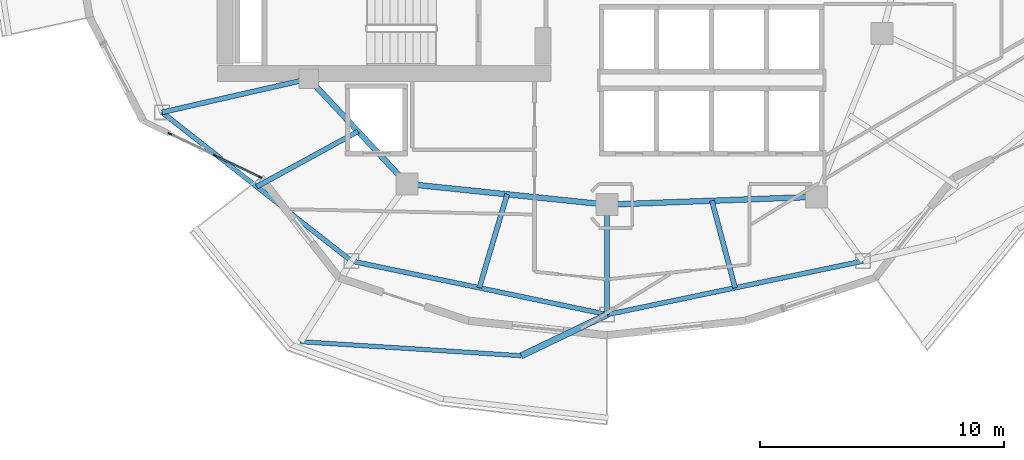
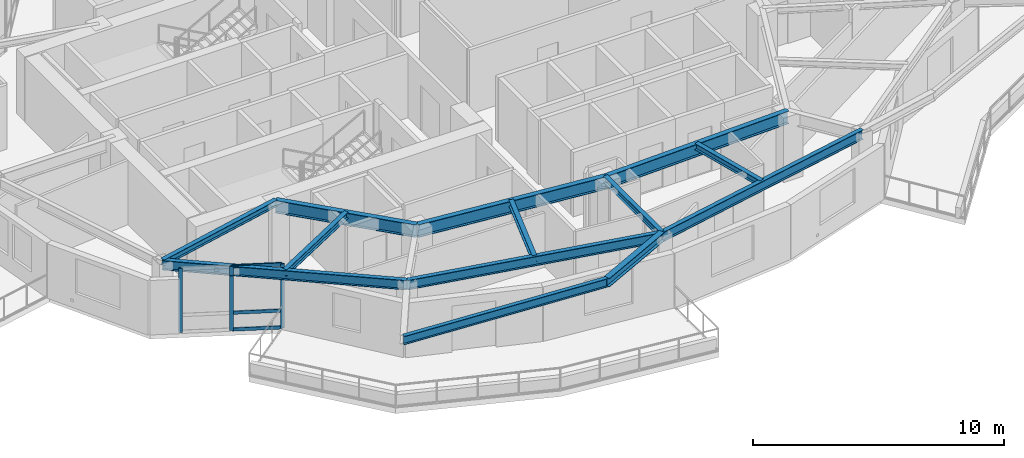
# One storey, part 2 of 16: 13 beams, 6 members, 1 element without a shape of its own.
"""IFC4 building model written with IfcOpenShell, lengths in metres."""

from ifc_helpers import new_model, si_unit, direction, frame, origin, origin_2d, place, context, subcontext, project, spatial, rectangle, i_section, extrude, material, layer, layer_set, material_profile, profile_set, type_object, element, aggregate, save


model = new_model("IFC4")

# Units and contexts
model_context = context("Model", 3, precision=1e-05, world=origin(), true_north=direction((0.0, 1.0)))
body_context = subcontext(model_context, "Body", "Model", "MODEL_VIEW")
ifc_project = project(units=[si_unit("LENGTHUNIT", "METRE"), si_unit("AREAUNIT", "SQUARE_METRE"), si_unit("VOLUMEUNIT", "CUBIC_METRE"), si_unit("PLANEANGLEUNIT", "RADIAN"), si_unit("MASSUNIT", "GRAM", prefix="KILO")], contexts=[model_context])

# Site, building, storey
site_placement = place(None, origin())
site = spatial("IfcSite", under=ifc_project, at=site_placement, CompositionType="ELEMENT")
building_placement = place(site_placement, origin())
building = spatial("IfcBuilding", under=site, at=building_placement, Name="Kolvaren Gate Tower and Convention Centre", CompositionType="ELEMENT")
storey_placement = place(building_placement, frame((0.0, 0.0, 149.5)))
storey = spatial("IfcBuildingStorey", under=building, at=storey_placement, Name="L38", CompositionType="ELEMENT", Elevation=149.5)

# Curtain wall, members
ifc_material_1 = material(Name="Anodized Architectural Aluminium Alloy 6063-T6", Category="aluminium")
ifc_layer = layer(ifc_material_1, 0.159912109375)
ifc_layer_set = layer_set([ifc_layer], Name="Anodized Architectural Aluminium Alloy 6063-T6")
curtain_wall_type = type_object("IfcCurtainWallType", Name="CW-HTL-UNIT", PredefinedType="NOTDEFINED", material=ifc_layer_set)
curtain_wall_placement = place(storey_placement, origin())
curtain_wall = element("IfcCurtainWall", 1, at=curtain_wall_placement, inside=storey, type_object=curtain_wall_type, Name="Tower L38 Unitised Curtain Wall CW-HTL-UNIT Bay 14", PredefinedType="NOTDEFINED")
ifc_material_profile_1 = material_profile(ifc_material_1, rectangle(XDim=0.06494140625, YDim=0.159912109375, at=origin_2d()), Name="CW-MEM-MUL-160")
ifc_profile_set_1 = profile_set([ifc_material_profile_1], Name="Anodized Architectural Aluminium Alloy 6063-T6")
member_type_1 = type_object("IfcMemberType", Name="CW-MEM-MUL-160", PredefinedType="MULLION", material=ifc_profile_set_1)
member_1_placement = place(storey_placement, frame((12.220458984375, 17.699462890625, 0.0), z_axis=(0.0, 0.0, 1.0), x_axis=(0.433065112035, 0.901362639973, 0.0)))
member_1 = element("IfcMember", 2, at=member_1_placement, type_object=member_type_1, Name="CW-03 mullion 1", PredefinedType="MULLION", context=body_context, shape_type="SweptSolid", body=[
    extrude(rectangle(XDim=0.06494140625, YDim=0.159912109375, at=origin_2d()), origin(), (0.0, 0.0, 1.0), 3.1298828125),
])
member_2_placement = place(storey_placement, frame((14.063720703125, 16.813720703125, 0.0), z_axis=(0.0, 0.0, 1.0), x_axis=(0.433065112035, 0.901362639973, 0.0)))
member_2 = element("IfcMember", 3, at=member_2_placement, type_object=member_type_1, Name="CW-03 mullion 2", PredefinedType="MULLION", context=body_context, shape_type="SweptSolid", body=[
    extrude(rectangle(XDim=0.06494140625, YDim=0.159912109375, at=origin_2d()), origin(), (0.0, 0.0, 1.0), 3.1298828125),
])
member_3_placement = place(storey_placement, frame((15.9072265625, 15.927978515625, 0.0), z_axis=(0.0, 0.0, 1.0), x_axis=(0.433065112035, 0.901362639973, 0.0)))
member_3 = element("IfcMember", 4, at=member_3_placement, type_object=member_type_1, Name="CW-03 mullion 3", PredefinedType="MULLION", context=body_context, shape_type="SweptSolid", body=[
    extrude(rectangle(XDim=0.06494140625, YDim=0.159912109375, at=origin_2d()), origin(), (0.0, 0.0, 1.0), 3.1298828125),
])
ifc_material_profile_2 = material_profile(ifc_material_1, rectangle(XDim=0.06494140625, YDim=0.159912109375, at=origin_2d()), Name="CW-MEM-TRN-160")
ifc_profile_set_2 = profile_set([ifc_material_profile_2], Name="Anodized Architectural Aluminium Alloy 6063-T6")
member_type_2 = type_object("IfcMemberType", Name="CW-MEM-TRN-160", PredefinedType="USERDEFINED", material=ifc_profile_set_2)
member_4_placement = place(storey_placement, frame((14.093017578125, 16.799560546875, 0.032470703125), z_axis=(0.90139218823, -0.433003606218, 0.0), x_axis=(0.433003606218, 0.90139218823, 0.0)))
member_4 = element("IfcMember", 5, at=member_4_placement, type_object=member_type_2, Name="CW-03 transom 2.1", ObjectType="TRANSOM", PredefinedType="USERDEFINED", context=body_context, shape_type="SweptSolid", body=[
    extrude(rectangle(XDim=0.06494140625, YDim=0.159912109375, at=origin_2d()), origin(), (0.0, 0.0, 1.0), 1.980224609375),
])
member_5_placement = place(storey_placement, frame((14.093017578125, 16.799560546875, 0.85009765625), z_axis=(0.90139218823, -0.433003606218, 0.0), x_axis=(0.433003606218, 0.90139218823, 0.0)))
member_5 = element("IfcMember", 6, at=member_5_placement, type_object=member_type_2, Name="CW-03 transom 2.2", ObjectType="TRANSOM", PredefinedType="USERDEFINED", context=body_context, shape_type="SweptSolid", body=[
    extrude(rectangle(XDim=0.06494140625, YDim=0.159912109375, at=origin_2d()), origin(), (0.0, 0.0, 1.0), 1.980224609375),
])
member_6_placement = place(storey_placement, frame((14.093017578125, 16.799560546875, 3.097412109375), z_axis=(0.90139218823, -0.433003606218, 0.0), x_axis=(0.433003606218, 0.90139218823, 0.0)))
member_6 = element("IfcMember", 7, at=member_6_placement, type_object=member_type_2, Name="CW-03 transom 2.3", ObjectType="TRANSOM", PredefinedType="USERDEFINED", context=body_context, shape_type="SweptSolid", body=[
    extrude(rectangle(XDim=0.06494140625, YDim=0.159912109375, at=origin_2d()), origin(), (0.0, 0.0, 1.0), 1.980224609375),
])
aggregate(curtain_wall, [member_1, member_2, member_3, member_4, member_5, member_6])

# Beams
ifc_material_2 = material(Name="Structural steel ASTM A992 Grade 345 MPa", Category="steel")
ifc_material_profile_3 = material_profile(ifc_material_2, i_section(OverallWidth=0.260009765625, OverallDepth=0.419921875, WebThickness=0.013427734375, FlangeThickness=0.0224609375, at=origin_2d()), Name="W410X132")
ifc_profile_set_3 = profile_set([ifc_material_profile_3], Name="Structural steel ASTM A992 Grade 345 MPa")
beam_type_1 = type_object("IfcBeamType", Name="STR-BM-W410X132", PredefinedType="BEAM", material=ifc_profile_set_3)
beam_1_placement = place(storey_placement, frame((30.125, 10.300048828125, 2.92041015625), z_axis=(-0.901728089649, -0.432303657558, 0.0), x_axis=(0.432303657558, -0.901728089649, 0.0)))
element("IfcBeam", 8, at=beam_1_placement, inside=storey, type_object=beam_type_1, Name="Tower L39 Planted Balcony Outrigger Cantilever BC-3B", PredefinedType="BEAM", context=body_context, shape_type="SweptSolid", body=[
    extrude(i_section(OverallWidth=0.260009765625, OverallDepth=0.419921875, WebThickness=0.013427734375, FlangeThickness=0.0224609375, at=origin_2d()), origin(), (0.0, 0.0, 1.0), 3.900146484375),
])
ifc_material_profile_4 = material_profile(ifc_material_2, i_section(OverallWidth=0.22998046875, OverallDepth=0.616943359375, WebThickness=0.01318359375, FlangeThickness=0.022216796875, at=origin_2d()), Name="W610X140")
ifc_profile_set_4 = profile_set([ifc_material_profile_4], Name="Structural steel ASTM A992 Grade 345 MPa")
beam_type_2 = type_object("IfcBeamType", Name="STR-BM-W610X140", PredefinedType="BEAM", material=ifc_profile_set_4)
beam_2_placement = place(storey_placement, frame((17.9140625, 19.949951171875, 2.821533203125), z_axis=(0.682557592987, -0.730831808459, 0.0), x_axis=(0.730831808459, 0.682557592987, 0.0)))
element("IfcBeam", 9, at=beam_2_placement, inside=storey, type_object=beam_type_2, Name="Tower L38 Primary Ring Girder G-06", PredefinedType="BEAM", context=body_context, shape_type="SweptSolid", body=[
    extrude(i_section(OverallWidth=0.22998046875, OverallDepth=0.616943359375, WebThickness=0.01318359375, FlangeThickness=0.022216796875, at=origin_2d()), origin(), (0.0, 0.0, 1.0), 5.88671875),
])
beam_3_placement = place(storey_placement, frame((21.93212890625, 15.647705078125, 2.821533203125), z_axis=(0.994690329115, -0.102913308978, 0.0), x_axis=(0.102913308978, 0.994690329115, 0.0)))
element("IfcBeam", 10, at=beam_3_placement, inside=storey, type_object=beam_type_2, Name="Tower L38 Primary Ring Girder G-07", PredefinedType="BEAM", context=body_context, shape_type="SweptSolid", body=[
    extrude(i_section(OverallWidth=0.22998046875, OverallDepth=0.616943359375, WebThickness=0.01318359375, FlangeThickness=0.022216796875, at=origin_2d()), origin(), (0.0, 0.0, 1.0), 8.236572265625),
])
beam_4_placement = place(storey_placement, frame((30.125, 14.800048828125, 2.821533203125), z_axis=(0.999301712453, 0.037364254142, 0.0), x_axis=(-0.037364254142, 0.999301712453, 0.0)))
element("IfcBeam", 11, at=beam_4_placement, inside=storey, type_object=beam_type_2, Name="Tower L38 Primary Ring Girder G-08", PredefinedType="BEAM", context=body_context, shape_type="SweptSolid", body=[
    extrude(i_section(OverallWidth=0.22998046875, OverallDepth=0.616943359375, WebThickness=0.01318359375, FlangeThickness=0.022216796875, at=origin_2d()), origin(), (0.0, 0.0, 1.0), 8.579345703125),
])
ifc_material_profile_5 = material_profile(ifc_material_2, i_section(OverallWidth=0.205078125, OverallDepth=0.31005859375, WebThickness=0.009521484375, FlangeThickness=0.016357421875, at=origin_2d()), Name="W310X74")
ifc_profile_set_5 = profile_set([ifc_material_profile_5], Name="Structural steel ASTM A992 Grade 345 MPa")
beam_type_3 = type_object("IfcBeamType", Name="STR-JS-W310X74", PredefinedType="JOIST", material=ifc_profile_set_5)
beam_5_placement = place(storey_placement, frame((17.9140625, 19.949951171875, 2.97509765625), z_axis=(-0.975083464295, -0.221838314226, 0.0), x_axis=(0.221838314226, -0.975083464295, 0.0)))
element("IfcBeam", 12, at=beam_5_placement, inside=storey, type_object=beam_type_3, Name="Tower L38 Radial Floor Girder RB-08", PredefinedType="JOIST", context=body_context, shape_type="SweptSolid", body=[
    extrude(i_section(OverallWidth=0.205078125, OverallDepth=0.31005859375, WebThickness=0.009521484375, FlangeThickness=0.016357421875, at=origin_2d()), origin(), (0.0, 0.0, 1.0), 6.169677734375),
])
beam_6_placement = place(storey_placement, frame((30.125, 14.800048828125, 2.97509765625), z_axis=(0.0, -1.0, 0.0), x_axis=(1.0, 0.0, 0.0)))
element("IfcBeam", 13, at=beam_6_placement, inside=storey, type_object=beam_type_3, Name="Tower L38 Radial Floor Girder RB-10", PredefinedType="JOIST", context=body_context, shape_type="SweptSolid", body=[
    extrude(i_section(OverallWidth=0.205078125, OverallDepth=0.31005859375, WebThickness=0.009521484375, FlangeThickness=0.016357421875, at=origin_2d()), origin(), (0.0, 0.0, 1.0), 4.5),
])
beam_7_placement = place(storey_placement, frame((19.923095703125, 17.798828125, 2.97509765625), z_axis=(-0.877822491981, -0.478986088078, 0.0), x_axis=(0.478986088078, -0.877822491981, 0.0)))
element("IfcBeam", 14, at=beam_7_placement, inside=storey, type_object=beam_type_3, Name="Tower L38 Secondary Composite Floor Joist J-08.1", PredefinedType="JOIST", context=body_context, shape_type="SweptSolid", body=[
    extrude(i_section(OverallWidth=0.205078125, OverallDepth=0.31005859375, WebThickness=0.009521484375, FlangeThickness=0.016357421875, at=origin_2d()), origin(), (0.0, 0.0, 1.0), 4.724365234375),
])
beam_8_placement = place(storey_placement, frame((26.028564453125, 15.223876953125, 2.97509765625), z_axis=(-0.28518274301, -0.958473162425, 0.0), x_axis=(0.958473162425, -0.28518274301, 0.0)))
element("IfcBeam", 15, at=beam_8_placement, inside=storey, type_object=beam_type_3, Name="Tower L38 Secondary Composite Floor Joist J-09.1", PredefinedType="JOIST", context=body_context, shape_type="SweptSolid", body=[
    extrude(i_section(OverallWidth=0.205078125, OverallDepth=0.31005859375, WebThickness=0.009521484375, FlangeThickness=0.016357421875, at=origin_2d()), origin(), (0.0, 0.0, 1.0), 3.994384765625),
])
beam_9_placement = place(storey_placement, frame((34.41162109375, 14.960205078125, 2.97509765625), z_axis=(0.257238365181, -0.966347982602, 0.0), x_axis=(0.966347982602, 0.257238365181, 0.0)))
element("IfcBeam", 16, at=beam_9_placement, inside=storey, type_object=beam_type_3, Name="Tower L38 Secondary Composite Floor Joist J-10.1", PredefinedType="JOIST", context=body_context, shape_type="SweptSolid", body=[
    extrude(i_section(OverallWidth=0.205078125, OverallDepth=0.31005859375, WebThickness=0.009521484375, FlangeThickness=0.016357421875, at=origin_2d()), origin(), (0.0, 0.0, 1.0), 3.68896484375),
])
ifc_material_profile_6 = material_profile(ifc_material_2, i_section(OverallWidth=0.180908203125, OverallDepth=0.4169921875, WebThickness=0.010986328125, FlangeThickness=0.018310546875, at=origin_2d()), Name="W410X85")
ifc_profile_set_6 = profile_set([ifc_material_profile_6], Name="Structural steel ASTM A992 Grade 345 MPa")
beam_type_4 = type_object("IfcBeamType", Name="STR-SP-W410X85", PredefinedType="SPANDREL", material=ifc_profile_set_6)
beam_10_placement = place(storey_placement, frame((17.576416015625, 9.18994140625, 2.922119140625), z_axis=(0.997973058085, -0.063637845165, 0.0), x_axis=(0.063637845165, 0.997973058085, 0.0)))
element("IfcBeam", 17, at=beam_10_placement, inside=storey, type_object=beam_type_4, Name="Tower L39 Planted Balcony Header Tie Beam BT-3", PredefinedType="SPANDREL", context=body_context, shape_type="SweptSolid", body=[
    extrude(i_section(OverallWidth=0.180908203125, OverallDepth=0.4169921875, WebThickness=0.010986328125, FlangeThickness=0.018310546875, at=origin_2d()), origin(), (0.0, 0.0, 1.0), 9.050048828125),
])
ifc_material_profile_7 = material_profile(ifc_material_2, i_section(OverallWidth=0.194091796875, OverallDepth=0.468994140625, WebThickness=0.0126953125, FlangeThickness=0.0205078125, at=origin_2d()), Name="W460X106")
ifc_profile_set_7 = profile_set([ifc_material_profile_7], Name="Structural steel ASTM A992 Grade 345 MPa")
beam_type_5 = type_object("IfcBeamType", Name="STR-SP-W460X106", PredefinedType="SPANDREL", material=ifc_profile_set_7)
beam_11_placement = place(storey_placement, frame((11.898193359375, 18.581298828125, 2.8955078125), z_axis=(0.786450621777, -0.617653154697, 0.0), x_axis=(0.617653154697, 0.786450621777, 0.0)))
element("IfcBeam", 18, at=beam_11_placement, inside=storey, type_object=beam_type_5, Name="Tower L38 Perimeter Spandrel Beam SP-08", PredefinedType="SPANDREL", context=body_context, shape_type="SweptSolid", body=[
    extrude(i_section(OverallWidth=0.194091796875, OverallDepth=0.468994140625, WebThickness=0.0126953125, FlangeThickness=0.0205078125, at=origin_2d()), origin(), (0.0, 0.0, 1.0), 9.861328125),
])
for number, where, z_axis, x_axis, name in (
    (19, (19.653564453125, 12.490478515625, 2.8955078125), (0.978814350133, -0.204749769168, 0.0), (0.204749769168, 0.978814350133, 0.0), "Tower L38 Perimeter Spandrel Beam SP-09"),
    (20, (30.125, 10.300048828125, 2.8955078125), (0.978814350133, 0.204749769168, 0.0), (-0.204749769168, 0.978814350133, 0.0), "Tower L38 Perimeter Spandrel Beam SP-10"),
):
    element("IfcBeam", number, at=place(storey_placement, frame(where, z_axis=z_axis, x_axis=x_axis)), inside=storey, type_object=beam_type_5, Name=name, PredefinedType="SPANDREL", context=body_context, shape_type="SweptSolid", body=[
        extrude(i_section(OverallWidth=0.194091796875, OverallDepth=0.468994140625, WebThickness=0.0126953125, FlangeThickness=0.0205078125, at=origin_2d()), origin(), (0.0, 0.0, 1.0), 10.697998046875),
    ])

save(model, "model.ifc")
